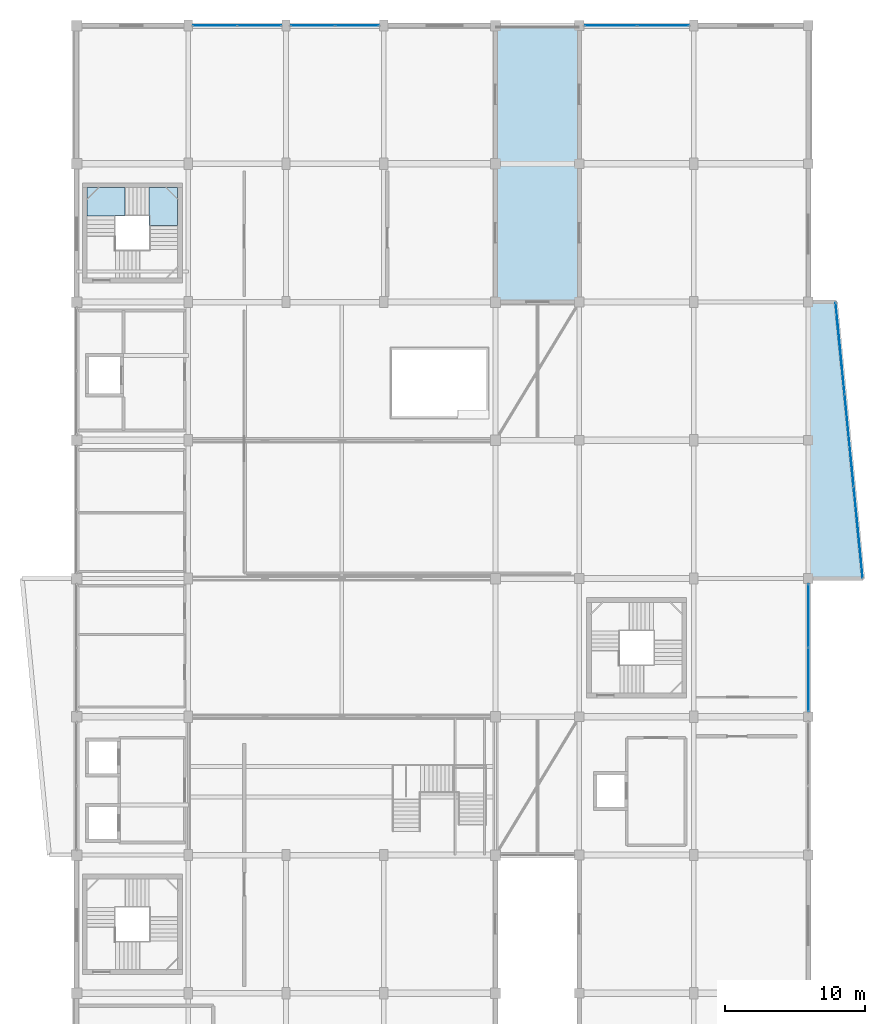
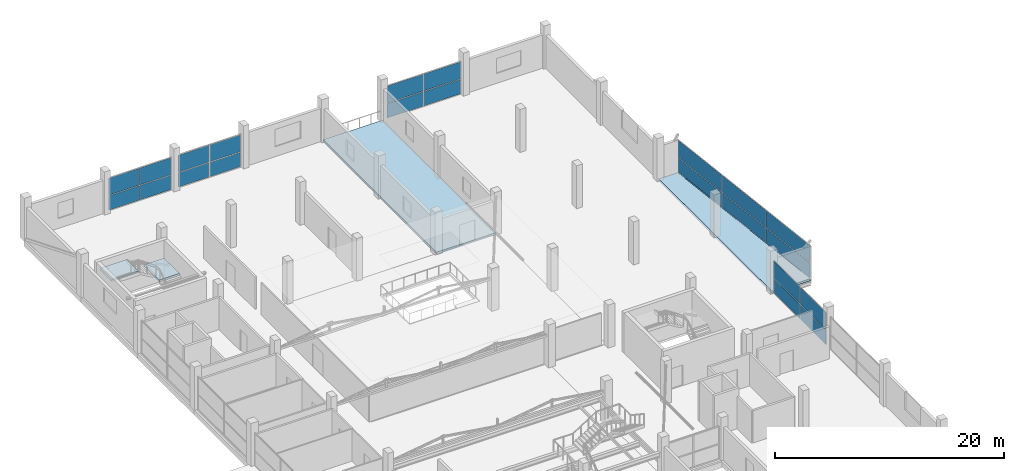
# One storey, part 39 of 55: 26 plates, 4 slabs, 6 elements without a shape of their own.
"""IFC4 building model written with IfcOpenShell, lengths in metres."""

from ifc_helpers import new_model, si_unit, direction, frame, origin, origin_2d, place, context, subcontext, project, spatial, polyline, rectangle, outline, extrude, material, layer, layer_set, type_object, element, aggregate, save


model = new_model("IFC4")

# Units and contexts
model_context = context("Model", 3, precision=1e-05, world=origin(), true_north=direction((0.0, 1.0)))
body_context = subcontext(model_context, "Body", "Model", "MODEL_VIEW")
ifc_project = project(units=[si_unit("LENGTHUNIT", "METRE"), si_unit("AREAUNIT", "SQUARE_METRE"), si_unit("VOLUMEUNIT", "CUBIC_METRE"), si_unit("PLANEANGLEUNIT", "RADIAN"), si_unit("MASSUNIT", "GRAM", prefix="KILO")], contexts=[model_context])

# Site, building, storey
site_placement = place(None, origin())
site = spatial("IfcSite", under=ifc_project, at=site_placement, CompositionType="ELEMENT")
building_placement = place(site_placement, origin())
building = spatial("IfcBuilding", under=site, at=building_placement, Name="Sillaruma Civic Art Gallery", CompositionType="ELEMENT")
storey_placement = place(building_placement, frame((0.0, 0.0, 37.739990234375)))
storey = spatial("IfcBuildingStorey", under=building, at=storey_placement, Name="L07", CompositionType="ELEMENT", Elevation=37.739990234375)

# Plates
ifc_material_1 = material(Name="Anodised Zinc-Aluminium Alloy", Category="aluminium")
ifc_layer_1 = layer(ifc_material_1, 0.044921875, Name="Anodised Zinc-Aluminium Alloy")
ifc_layer_set_1 = layer_set([ifc_layer_1], Name="Anodised Zinc-Aluminium Alloy")
plate_type_1 = type_object("IfcPlateType", Name="PLT-FAS-01", PredefinedType="USERDEFINED", material=ifc_layer_set_1)
plate_1_placement = place(storey_placement, frame((116.642578125, 76.22998046875, -0.489990234375), z_axis=(0.0, 0.0, 1.0), x_axis=(-0.098010679679, 0.99518536297, 0.0)))
element("IfcPlate", 1, at=plate_1_placement, inside=storey, type_object=plate_type_1, Name="Folded Fascia Cassette (PRW-L07-E-4)", ObjectType="FASCIA CASSETTE", PredefinedType="USERDEFINED", context=body_context, shape_type="SweptSolid", body=[
    extrude(rectangle(XDim=3.60009765625, YDim=0.044921875, at=origin_2d()), origin(), (0.0, 0.0, 1.0), 0.580078125),
])
ifc_layer_2 = layer(ifc_material_1, 0.041015625, Name="Anodised Zinc-Aluminium Alloy")
ifc_layer_set_2 = layer_set([ifc_layer_2], Name="Anodised Zinc-Aluminium Alloy")
plate_type_2 = type_object("IfcPlateType", Name="PLT-FAS-02", PredefinedType="USERDEFINED", material=ifc_layer_set_2)
plate_2_placement = place(storey_placement, frame((118.007568359375, 62.3701171875, -0.4599609375), z_axis=(0.0, 0.0, 1.0), x_axis=(-0.098010679679, 0.99518536297, 0.0)))
element("IfcPlate", 2, at=plate_2_placement, inside=storey, type_object=plate_type_2, Name="Folded Fascia Cassette (PRW-L07-E-1)", ObjectType="FASCIA CASSETTE", PredefinedType="USERDEFINED", context=body_context, shape_type="SweptSolid", body=[
    extrude(rectangle(XDim=3.199951171875, YDim=0.041015625, at=origin_2d()), origin(), (0.0, 0.0, 1.0), 0.52001953125),
])
ifc_layer_3 = layer(ifc_material_1, 0.0380859375, Name="Anodised Zinc-Aluminium Alloy")
ifc_layer_set_3 = layer_set([ifc_layer_3], Name="Anodised Zinc-Aluminium Alloy")
plate_type_3 = type_object("IfcPlateType", Name="PLT-FAS-03", PredefinedType="USERDEFINED", material=ifc_layer_set_3)
plate_3_placement = place(storey_placement, frame((117.55908203125, 66.924072265625, -0.43994140625), z_axis=(0.0, 0.0, 1.0), x_axis=(-0.098010679679, 0.99518536297, 0.0)))
element("IfcPlate", 3, at=plate_3_placement, inside=storey, type_object=plate_type_3, Name="Folded Fascia Cassette (PRW-L07-E-2)", ObjectType="FASCIA CASSETTE", PredefinedType="USERDEFINED", context=body_context, shape_type="SweptSolid", body=[
    extrude(rectangle(XDim=2.800048828125, YDim=0.0380859375, at=origin_2d()), origin(), (0.0, 0.0, 1.0), 0.47998046875),
])
ifc_layer_4 = layer(ifc_material_1, 0.034912109375, Name="Anodised Zinc-Aluminium Alloy")
ifc_layer_set_4 = layer_set([ifc_layer_4], Name="Anodised Zinc-Aluminium Alloy")
plate_type_4 = type_object("IfcPlateType", Name="PLT-FAS-04", PredefinedType="USERDEFINED", material=ifc_layer_set_4)
plate_4_placement = place(storey_placement, frame((117.091064453125, 71.676025390625, -0.419921875), z_axis=(0.0, 0.0, 1.0), x_axis=(-0.098010679679, 0.99518536297, 0.0)))
element("IfcPlate", 4, at=plate_4_placement, inside=storey, type_object=plate_type_4, Name="Folded Fascia Cassette (PRW-L07-E-3)", ObjectType="FASCIA CASSETTE", PredefinedType="USERDEFINED", context=body_context, shape_type="SweptSolid", body=[
    extrude(rectangle(XDim=2.39990234375, YDim=0.034912109375, at=origin_2d()), origin(), (0.0, 0.0, 1.0), 0.43994140625),
])

# Curtain wall, plates
ifc_material_2 = material(Name="Thermally Broken Extruded Aluminium 6063-T6", Category="aluminium")
ifc_layer_5 = layer(ifc_material_2, 0.159912109375, Name="Thermally Broken Extruded Aluminium 6063-T6")
ifc_layer_set_5 = layer_set([ifc_layer_5], Name="Thermally Broken Extruded Aluminium 6063-T6")
curtain_wall_type_1 = type_object("IfcCurtainWallType", Name="CW-UNI-47", PredefinedType="NOTDEFINED", material=ifc_layer_set_5)
curtain_wall_1_placement = place(storey_placement, origin())
curtain_wall_1 = element("IfcCurtainWall", 5, at=curtain_wall_1_placement, inside=storey, type_object=curtain_wall_type_1, Name="Unitised Curtain Wall CW-47 (CW-L07-E-4)", PredefinedType="NOTDEFINED")
ifc_material_3 = material(Name="Low-E UV-Filtered Laminated Insulating Glass", Category="glass")
ifc_layer_6 = layer(ifc_material_3, 0.030029296875, Name="Low-E UV-Filtered Laminated Insulating Glass")
ifc_layer_set_6 = layer_set([ifc_layer_6], Name="Low-E UV-Filtered Laminated Insulating Glass")
plate_type_5 = type_object("IfcPlateType", Name="PNL-GLZ-30", PredefinedType="CURTAIN_PANEL", material=ifc_layer_set_6)
plate_5_placement = place(storey_placement, frame((114.39990234375, 52.166259765625, 0.06005859375), z_axis=(0.0, 0.0, 1.0), x_axis=(0.0, 1.0, 0.0)))
plate_5 = element("IfcPlate", 6, at=plate_5_placement, type_object=plate_type_5, Name="CW-47 panel 1.1", PredefinedType="CURTAIN_PANEL", context=body_context, shape_type="SweptSolid", body=[
    extrude(rectangle(XDim=4.50244140625, YDim=0.030029296875, at=origin_2d()), origin(), (0.0, 0.0, 1.0), 1.53369140625),
])
plate_6_placement = place(storey_placement, frame((114.39990234375, 52.166259765625, 1.65380859375), z_axis=(0.0, 0.0, 1.0), x_axis=(0.0, 1.0, 0.0)))
plate_6 = element("IfcPlate", 7, at=plate_6_placement, type_object=plate_type_5, Name="CW-47 panel 1.2", PredefinedType="CURTAIN_PANEL", context=body_context, shape_type="SweptSolid", body=[
    extrude(rectangle(XDim=4.50244140625, YDim=0.030029296875, at=origin_2d()), origin(), (0.0, 0.0, 1.0), 1.816162109375),
])
plate_7_placement = place(storey_placement, frame((114.39990234375, 56.733642578125, 0.06005859375), z_axis=(0.0, 0.0, 1.0), x_axis=(0.0, 1.0, 0.0)))
plate_7 = element("IfcPlate", 8, at=plate_7_placement, type_object=plate_type_5, Name="CW-47 panel 2.1", PredefinedType="CURTAIN_PANEL", context=body_context, shape_type="SweptSolid", body=[
    extrude(rectangle(XDim=4.50244140625, YDim=0.030029296875, at=origin_2d()), origin(), (0.0, 0.0, 1.0), 1.53369140625),
])
plate_8_placement = place(storey_placement, frame((114.39990234375, 56.733642578125, 1.65380859375), z_axis=(0.0, 0.0, 1.0), x_axis=(0.0, 1.0, 0.0)))
plate_8 = element("IfcPlate", 9, at=plate_8_placement, type_object=plate_type_5, Name="CW-47 panel 2.2", PredefinedType="CURTAIN_PANEL", context=body_context, shape_type="SweptSolid", body=[
    extrude(rectangle(XDim=4.50244140625, YDim=0.030029296875, at=origin_2d()), origin(), (0.0, 0.0, 1.0), 1.816162109375),
])
aggregate(curtain_wall_1, [plate_5, plate_6, plate_7, plate_8])

ifc_layer_7 = layer(ifc_material_2, 0.159912109375, Name="Thermally Broken Extruded Aluminium 6063-T6")
ifc_layer_set_7 = layer_set([ifc_layer_7], Name="Thermally Broken Extruded Aluminium 6063-T6")
curtain_wall_type_2 = type_object("IfcCurtainWallType", Name="CW-UNI-49", PredefinedType="NOTDEFINED", material=ifc_layer_set_7)
curtain_wall_2_placement = place(storey_placement, origin())
curtain_wall_2 = element("IfcCurtainWall", 10, at=curtain_wall_2_placement, inside=storey, type_object=curtain_wall_type_2, Name="Unitised Curtain Wall CW-49 (CW-PRW-L07-E-ANG)", PredefinedType="NOTDEFINED")
plate_9_placement = place(storey_placement, frame((117.973388671875, 62.716064453125, 0.06005859375), z_axis=(0.0, 0.0, 1.0), x_axis=(-0.098010679679, 0.99518536297, 0.0)))
plate_9 = element("IfcPlate", 11, at=plate_9_placement, type_object=plate_type_5, Name="CW-49 panel 1.1", PredefinedType="CURTAIN_PANEL", context=body_context, shape_type="SweptSolid", body=[
    extrude(rectangle(XDim=6.534423828125, YDim=0.030029296875, at=origin_2d()), origin(), (0.0, 0.0, 1.0), 1.53369140625),
])
plate_10_placement = place(storey_placement, frame((117.973388671875, 62.716064453125, 1.65380859375), z_axis=(0.0, 0.0, 1.0), x_axis=(-0.098010679679, 0.99518536297, 0.0)))
plate_10 = element("IfcPlate", 12, at=plate_10_placement, type_object=plate_type_5, Name="CW-49 panel 1.2", PredefinedType="CURTAIN_PANEL", context=body_context, shape_type="SweptSolid", body=[
    extrude(rectangle(XDim=6.534423828125, YDim=0.030029296875, at=origin_2d()), origin(), (0.0, 0.0, 1.0), 1.816162109375),
])
plate_11_placement = place(storey_placement, frame((117.324951171875, 69.300048828125, 0.06005859375), z_axis=(0.0, 0.0, 1.0), x_axis=(-0.098010679679, 0.99518536297, 0.0)))
plate_11 = element("IfcPlate", 13, at=plate_11_placement, type_object=plate_type_5, Name="CW-49 panel 2.1", PredefinedType="CURTAIN_PANEL", context=body_context, shape_type="SweptSolid", body=[
    extrude(rectangle(XDim=6.56689453125, YDim=0.030029296875, at=origin_2d()), origin(), (0.0, 0.0, 1.0), 1.53369140625),
])
plate_12_placement = place(storey_placement, frame((117.324951171875, 69.300048828125, 1.65380859375), z_axis=(0.0, 0.0, 1.0), x_axis=(-0.098010679679, 0.99518536297, 0.0)))
plate_12 = element("IfcPlate", 14, at=plate_12_placement, type_object=plate_type_5, Name="CW-49 panel 2.2", PredefinedType="CURTAIN_PANEL", context=body_context, shape_type="SweptSolid", body=[
    extrude(rectangle(XDim=6.56689453125, YDim=0.030029296875, at=origin_2d()), origin(), (0.0, 0.0, 1.0), 1.816162109375),
])
plate_13_placement = place(storey_placement, frame((116.676513671875, 75.8837890625, 0.06005859375), z_axis=(0.0, 0.0, 1.0), x_axis=(-0.098010679679, 0.99518536297, 0.0)))
plate_13 = element("IfcPlate", 15, at=plate_13_placement, type_object=plate_type_5, Name="CW-49 panel 3.1", PredefinedType="CURTAIN_PANEL", context=body_context, shape_type="SweptSolid", body=[
    extrude(rectangle(XDim=6.534423828125, YDim=0.030029296875, at=origin_2d()), origin(), (0.0, 0.0, 1.0), 1.53369140625),
])
plate_14_placement = place(storey_placement, frame((116.676513671875, 75.8837890625, 1.65380859375), z_axis=(0.0, 0.0, 1.0), x_axis=(-0.098010679679, 0.99518536297, 0.0)))
plate_14 = element("IfcPlate", 16, at=plate_14_placement, type_object=plate_type_5, Name="CW-49 panel 3.2", PredefinedType="CURTAIN_PANEL", context=body_context, shape_type="SweptSolid", body=[
    extrude(rectangle(XDim=6.534423828125, YDim=0.030029296875, at=origin_2d()), origin(), (0.0, 0.0, 1.0), 1.816162109375),
])
aggregate(curtain_wall_2, [plate_9, plate_10, plate_11, plate_12, plate_13, plate_14])

ifc_layer_8 = layer(ifc_material_2, 0.139892578125, Name="Thermally Broken Extruded Aluminium 6063-T6")
ifc_layer_set_8 = layer_set([ifc_layer_8], Name="Thermally Broken Extruded Aluminium 6063-T6")
curtain_wall_type_3 = type_object("IfcCurtainWallType", Name="CW-UNI-50", PredefinedType="NOTDEFINED", material=ifc_layer_set_8)
curtain_wall_3_placement = place(storey_placement, origin())
curtain_wall_3 = element("IfcCurtainWall", 17, at=curtain_wall_3_placement, inside=storey, type_object=curtain_wall_type_3, Name="Unitised Curtain Wall CW-50 (CW-L07-N-2)", PredefinedType="NOTDEFINED")
ifc_layer_9 = layer(ifc_material_3, 0.033935546875, Name="Low-E UV-Filtered Laminated Insulating Glass")
ifc_layer_set_9 = layer_set([ifc_layer_9], Name="Low-E UV-Filtered Laminated Insulating Glass")
plate_type_6 = type_object("IfcPlateType", Name="PNL-GLZ-34", PredefinedType="CURTAIN_PANEL", material=ifc_layer_set_9)
plate_15_placement = place(storey_placement, frame((71.9150390625, 99.0, 0.06494140625), z_axis=(0.0, 0.0, 1.0), x_axis=(1.0, 0.0, 0.0)))
plate_15 = element("IfcPlate", 18, at=plate_15_placement, type_object=plate_type_6, Name="CW-50 panel 1.1", PredefinedType="CURTAIN_PANEL", context=body_context, shape_type="SweptSolid", body=[
    extrude(rectangle(XDim=3.110107421875, YDim=0.033935546875, at=origin_2d()), origin(), (0.0, 0.0, 1.0), 1.5263671875),
])
plate_16_placement = place(storey_placement, frame((71.9150390625, 99.0, 1.65625), z_axis=(0.0, 0.0, 1.0), x_axis=(1.0, 0.0, 0.0)))
plate_16 = element("IfcPlate", 19, at=plate_16_placement, type_object=plate_type_6, Name="CW-50 panel 1.2", PredefinedType="CURTAIN_PANEL", context=body_context, shape_type="SweptSolid", body=[
    extrude(rectangle(XDim=3.110107421875, YDim=0.033935546875, at=origin_2d()), origin(), (0.0, 0.0, 1.0), 1.80859375),
])
plate_17_placement = place(storey_placement, frame((75.0849609375, 99.0, 0.06494140625), z_axis=(0.0, 0.0, 1.0), x_axis=(1.0, 0.0, 0.0)))
plate_17 = element("IfcPlate", 20, at=plate_17_placement, type_object=plate_type_6, Name="CW-50 panel 2.1", PredefinedType="CURTAIN_PANEL", context=body_context, shape_type="SweptSolid", body=[
    extrude(rectangle(XDim=3.110107421875, YDim=0.033935546875, at=origin_2d()), origin(), (0.0, 0.0, 1.0), 1.5263671875),
])
plate_18_placement = place(storey_placement, frame((75.0849609375, 99.0, 1.65625), z_axis=(0.0, 0.0, 1.0), x_axis=(1.0, 0.0, 0.0)))
plate_18 = element("IfcPlate", 21, at=plate_18_placement, type_object=plate_type_6, Name="CW-50 panel 2.2", PredefinedType="CURTAIN_PANEL", context=body_context, shape_type="SweptSolid", body=[
    extrude(rectangle(XDim=3.110107421875, YDim=0.033935546875, at=origin_2d()), origin(), (0.0, 0.0, 1.0), 1.80859375),
])
aggregate(curtain_wall_3, [plate_15, plate_16, plate_17, plate_18])

ifc_layer_10 = layer(ifc_material_2, 0.179931640625, Name="Thermally Broken Extruded Aluminium 6063-T6")
ifc_layer_set_10 = layer_set([ifc_layer_10], Name="Thermally Broken Extruded Aluminium 6063-T6")
curtain_wall_type_4 = type_object("IfcCurtainWallType", Name="CW-UNI-51", PredefinedType="NOTDEFINED", material=ifc_layer_set_10)
curtain_wall_4_placement = place(storey_placement, origin())
curtain_wall_4 = element("IfcCurtainWall", 22, at=curtain_wall_4_placement, inside=storey, type_object=curtain_wall_type_4, Name="Unitised Curtain Wall CW-51 (CW-L07-N-3)", PredefinedType="NOTDEFINED")
ifc_layer_11 = layer(ifc_material_3, 0.035888671875, Name="Low-E UV-Filtered Laminated Insulating Glass")
ifc_layer_set_11 = layer_set([ifc_layer_11], Name="Low-E UV-Filtered Laminated Insulating Glass")
plate_type_7 = type_object("IfcPlateType", Name="PNL-GLZ-36", PredefinedType="CURTAIN_PANEL", material=ifc_layer_set_11)
plate_19_placement = place(storey_placement, frame((78.91748046875, 99.0, 0.06982421875), z_axis=(0.0, 0.0, 1.0), x_axis=(1.0, 0.0, 0.0)))
plate_19 = element("IfcPlate", 23, at=plate_19_placement, type_object=plate_type_7, Name="CW-51 panel 1.1", PredefinedType="CURTAIN_PANEL", context=body_context, shape_type="SweptSolid", body=[
    extrude(rectangle(XDim=3.094970703125, YDim=0.035888671875, at=origin_2d()), origin(), (0.0, 0.0, 1.0), 1.518798828125),
])
plate_20_placement = place(storey_placement, frame((78.91748046875, 99.0, 1.65869140625), z_axis=(0.0, 0.0, 1.0), x_axis=(1.0, 0.0, 0.0)))
plate_20 = element("IfcPlate", 24, at=plate_20_placement, type_object=plate_type_7, Name="CW-51 panel 1.2", PredefinedType="CURTAIN_PANEL", context=body_context, shape_type="SweptSolid", body=[
    extrude(rectangle(XDim=3.094970703125, YDim=0.035888671875, at=origin_2d()), origin(), (0.0, 0.0, 1.0), 1.80126953125),
])
plate_21_placement = place(storey_placement, frame((82.08251953125, 99.0, 0.06982421875), z_axis=(0.0, 0.0, 1.0), x_axis=(1.0, 0.0, 0.0)))
plate_21 = element("IfcPlate", 25, at=plate_21_placement, type_object=plate_type_7, Name="CW-51 panel 2.1", PredefinedType="CURTAIN_PANEL", context=body_context, shape_type="SweptSolid", body=[
    extrude(rectangle(XDim=3.094970703125, YDim=0.035888671875, at=origin_2d()), origin(), (0.0, 0.0, 1.0), 1.518798828125),
])
plate_22_placement = place(storey_placement, frame((82.08251953125, 99.0, 1.65869140625), z_axis=(0.0, 0.0, 1.0), x_axis=(1.0, 0.0, 0.0)))
plate_22 = element("IfcPlate", 26, at=plate_22_placement, type_object=plate_type_7, Name="CW-51 panel 2.2", PredefinedType="CURTAIN_PANEL", context=body_context, shape_type="SweptSolid", body=[
    extrude(rectangle(XDim=3.094970703125, YDim=0.035888671875, at=origin_2d()), origin(), (0.0, 0.0, 1.0), 1.80126953125),
])
aggregate(curtain_wall_4, [plate_19, plate_20, plate_21, plate_22])

ifc_layer_12 = layer(ifc_material_2, 0.179931640625, Name="Thermally Broken Extruded Aluminium 6063-T6")
ifc_layer_set_12 = layer_set([ifc_layer_12], Name="Thermally Broken Extruded Aluminium 6063-T6")
curtain_wall_type_5 = type_object("IfcCurtainWallType", Name="CW-UNI-52", PredefinedType="NOTDEFINED", material=ifc_layer_set_12)
curtain_wall_5_placement = place(storey_placement, origin())
curtain_wall_5 = element("IfcCurtainWall", 27, at=curtain_wall_5_placement, inside=storey, type_object=curtain_wall_type_5, Name="Unitised Curtain Wall CW-52 (CW-L07-N-6)", PredefinedType="NOTDEFINED")
ifc_layer_13 = layer(ifc_material_3, 0.0400390625, Name="Low-E UV-Filtered Laminated Insulating Glass")
ifc_layer_set_13 = layer_set([ifc_layer_13], Name="Low-E UV-Filtered Laminated Insulating Glass")
plate_type_8 = type_object("IfcPlateType", Name="PNL-GLZ-40", PredefinedType="CURTAIN_PANEL", material=ifc_layer_set_13)
plate_23_placement = place(storey_placement, frame((100.2548828125, 99.0, 0.06494140625), z_axis=(0.0, 0.0, 1.0), x_axis=(1.0, 0.0, 0.0)))
plate_23 = element("IfcPlate", 28, at=plate_23_placement, type_object=plate_type_8, Name="CW-52 panel 1.1", PredefinedType="CURTAIN_PANEL", context=body_context, shape_type="SweptSolid", body=[
    extrude(rectangle(XDim=3.669921875, YDim=0.0400390625, at=origin_2d()), origin(), (0.0, 0.0, 1.0), 1.5263671875),
])
plate_24_placement = place(storey_placement, frame((100.2548828125, 99.0, 1.65625), z_axis=(0.0, 0.0, 1.0), x_axis=(1.0, 0.0, 0.0)))
plate_24 = element("IfcPlate", 29, at=plate_24_placement, type_object=plate_type_8, Name="CW-52 panel 1.2", PredefinedType="CURTAIN_PANEL", context=body_context, shape_type="SweptSolid", body=[
    extrude(rectangle(XDim=3.669921875, YDim=0.0400390625, at=origin_2d()), origin(), (0.0, 0.0, 1.0), 1.80859375),
])
plate_25_placement = place(storey_placement, frame((103.9951171875, 99.0, 0.06494140625), z_axis=(0.0, 0.0, 1.0), x_axis=(1.0, 0.0, 0.0)))
plate_25 = element("IfcPlate", 30, at=plate_25_placement, type_object=plate_type_8, Name="CW-52 panel 2.1", PredefinedType="CURTAIN_PANEL", context=body_context, shape_type="SweptSolid", body=[
    extrude(rectangle(XDim=3.669921875, YDim=0.0400390625, at=origin_2d()), origin(), (0.0, 0.0, 1.0), 1.5263671875),
])
plate_26_placement = place(storey_placement, frame((103.9951171875, 99.0, 1.65625), z_axis=(0.0, 0.0, 1.0), x_axis=(1.0, 0.0, 0.0)))
plate_26 = element("IfcPlate", 31, at=plate_26_placement, type_object=plate_type_8, Name="CW-52 panel 2.2", PredefinedType="CURTAIN_PANEL", context=body_context, shape_type="SweptSolid", body=[
    extrude(rectangle(XDim=3.669921875, YDim=0.0400390625, at=origin_2d()), origin(), (0.0, 0.0, 1.0), 1.80859375),
])
aggregate(curtain_wall_5, [plate_23, plate_24, plate_25, plate_26])

# Slabs
ifc_material_4 = material(Name="Concrete H35 (35 MPa)", Category="concrete")
ifc_layer_14 = layer(ifc_material_4, 0.239990234375, Name="Concrete H35 (35 MPa)")
ifc_layer_set_14 = layer_set([ifc_layer_14], Name="Concrete H35 (35 MPa)")
slab_type_1 = type_object("IfcSlabType", Name="SLB-EXT-240", PredefinedType="FLOOR", material=ifc_layer_set_14)
slab_1_placement = place(storey_placement, frame((0.0, 0.0, -0.239990234375)))
element("IfcSlab", 32, at=slab_1_placement, inside=storey, type_object=slab_type_1, Name="L07 North Canyon Sculpture Terrace (SLB-L07-TER-CN)", PredefinedType="FLOOR", context=body_context, shape_type="SweptSolid", body=[
    extrude(outline(polyline([(92.0, 79.199951171875), (98.0, 79.199951171875), (98.0, 99.0), (92.0, 99.0), (92.0, 79.199951171875)])), origin(), (0.0, 0.0, 1.0), 0.239990234375),
])
ifc_layer_15 = layer(ifc_material_4, 0.239990234375, Name="Concrete H35 (35 MPa)")
ifc_layer_set_15 = layer_set([ifc_layer_15], Name="Concrete H35 (35 MPa)")
slab_type_2 = type_object("IfcSlabType", Name="SLB-FLR-240", PredefinedType="FLOOR", material=ifc_layer_set_15)
slab_2_placement = place(storey_placement, frame((0.0, 0.0, -0.239990234375)))
element("IfcSlab", 33, at=slab_2_placement, inside=storey, type_object=slab_type_2, Name="Floor Slab SF-240 (SLB-L07-PRWE)", PredefinedType="FLOOR", context=body_context, shape_type="SweptSolid", body=[
    extrude(outline(polyline([(114.39990234375, 59.39990234375), (118.300048828125, 59.39990234375), (116.35009765625, 79.199951171875), (114.39990234375, 79.199951171875), (114.39990234375, 59.39990234375)])), origin(), (0.0, 0.0, 1.0), 0.239990234375),
])

# Stair, slabs
stair_type = type_object("IfcStairType", Name="STR-4F-27", PredefinedType="USERDEFINED", material=ifc_material_4)
stair_placement = place(storey_placement, origin())
stair = element("IfcStair", 34, at=stair_placement, inside=storey, type_object=stair_type, Name="Protected Exit Stair ST-02 (West Bar North) (L07)", ObjectType="THREE_RETURN_STAIR", PredefinedType="USERDEFINED")
ifc_layer_16 = layer(ifc_material_4, 0.199951171875, Name="Concrete H35 (35 MPa)")
ifc_layer_set_16 = layer_set([ifc_layer_16], Name="Concrete H35 (35 MPa)")
slab_type_3 = type_object("IfcSlabType", Name="SLB-LND-200", PredefinedType="LANDING", material=ifc_layer_set_16)
slab_3_placement = place(storey_placement, frame((0.0, 0.0, 2.179931640625)))
slab_3 = element("IfcSlab", 35, at=slab_3_placement, type_object=slab_type_3, Name="ST-02 landing 2", PredefinedType="LANDING", context=body_context, shape_type="SweptSolid", body=[
    extrude(outline(polyline([(67.199951171875, 84.68994140625), (69.239990234375, 84.68994140625), (69.239990234375, 87.389892578125), (67.199951171875, 87.389892578125), (67.199951171875, 84.68994140625)])), origin(), (0.0, 0.0, 1.0), 0.2001953125),
])
slab_4_placement = place(storey_placement, frame((0.0, 0.0, 3.3701171875)))
slab_4 = element("IfcSlab", 36, at=slab_4_placement, type_object=slab_type_3, Name="ST-02 landing 3", PredefinedType="LANDING", context=body_context, shape_type="SweptSolid", body=[
    extrude(outline(polyline([(62.760009765625, 85.35009765625), (65.4599609375, 85.35009765625), (65.4599609375, 87.389892578125), (62.760009765625, 87.389892578125), (62.760009765625, 85.35009765625)])), origin(), (0.0, 0.0, 1.0), 0.199951171875),
])
aggregate(stair, [slab_3, slab_4])

save(model, "model.ifc")
